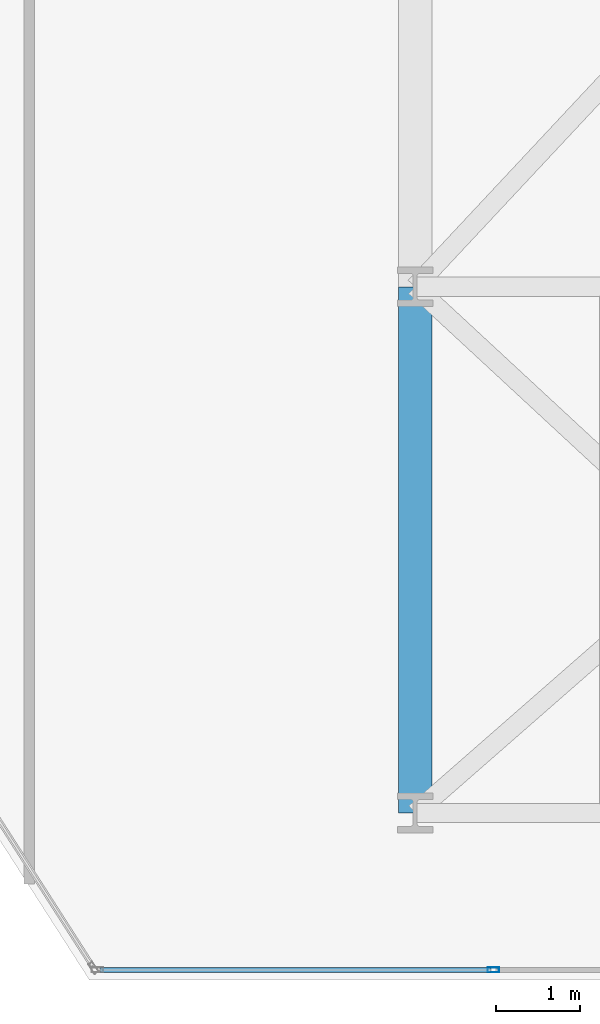
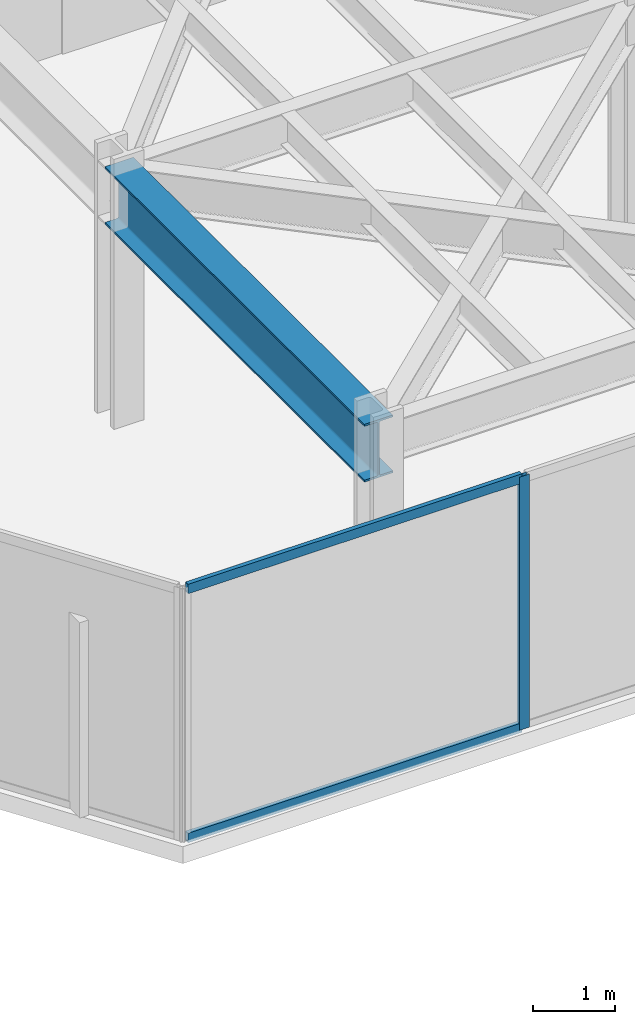
# One storey, part 16 of 26: 3 members, 1 beam, 1 element without a shape of its own.
"""IFC4 building model written with IfcOpenShell, lengths in metres."""

from ifc_helpers import new_model, si_unit, direction, frame, origin, origin_2d, place, context, subcontext, project, spatial, hollow_rectangle, i_section, extrude, material, layer, layer_set, material_profile, profile_set, type_object, element, aggregate, save


model = new_model("IFC4")

# Units and contexts
model_context = context("Model", 3, precision=1e-05, world=origin(), true_north=direction((0.0, 1.0)))
body_context = subcontext(model_context, "Body", "Model", "MODEL_VIEW")
ifc_project = project(units=[si_unit("LENGTHUNIT", "METRE"), si_unit("AREAUNIT", "SQUARE_METRE"), si_unit("VOLUMEUNIT", "CUBIC_METRE"), si_unit("PLANEANGLEUNIT", "RADIAN"), si_unit("MASSUNIT", "GRAM", prefix="KILO")], contexts=[model_context])

# Site, building, storey
site_placement = place(None, origin())
site = spatial("IfcSite", under=ifc_project, at=site_placement, CompositionType="ELEMENT")
building_placement = place(site_placement, origin())
building = spatial("IfcBuilding", under=site, at=building_placement, Name="Kravanh Interchange Tower", CompositionType="ELEMENT")
storey_placement = place(building_placement, frame((0.0, 0.0, 124.0)))
storey = spatial("IfcBuildingStorey", under=building, at=storey_placement, Name="L29", CompositionType="ELEMENT", Elevation=124.0)

# Curtain wall, members
ifc_material_1 = material(Name="Anodised Bronze Aluminium", Category="aluminium")
ifc_layer = layer(ifc_material_1, 0.179931640625)
ifc_layer_set = layer_set([ifc_layer], Name="Unitised Curtain Wall System CW-Z2 Mid Office")
curtain_wall_type = type_object("IfcCurtainWallType", Name="Unitised Curtain Wall System CW-Z2 Mid Office", PredefinedType="NOTDEFINED", material=ifc_layer_set)
curtain_wall_placement = place(storey_placement, origin())
curtain_wall = element("IfcCurtainWall", 1, at=curtain_wall_placement, inside=storey, type_object=curtain_wall_type, Name="L29 Unitised Curtain Wall CW-L29-03", PredefinedType="NOTDEFINED")
ifc_material_2 = material(Name="Anodised Bronze Aluminium", Category="aluminium")
ifc_material_profile_1 = material_profile(ifc_material_2, hollow_rectangle(XDim=0.06005859375, YDim=0.139892578125, WallThickness=0.00390625, at=origin_2d()), Name="ALU60X140X4")
ifc_profile_set_1 = profile_set([ifc_material_profile_1], Name="Anodised Bronze Aluminium")
member_type_1 = type_object("IfcMemberType", Name="Curtain Wall Mullion ALU60X140X4 Bronze", PredefinedType="MULLION", material=ifc_profile_set_1)
member_1_placement = place(storey_placement, frame((56.93798828125, 6.320068359375, 0.0), z_axis=(0.0, 0.0, 1.0), x_axis=(0.0, -1.0, 0.0)))
member_1 = element("IfcMember", 2, at=member_1_placement, type_object=member_type_1, Name="CW-Z2 mullion 2", PredefinedType="MULLION", context=body_context, shape_type="SweptSolid", body=[
    extrude(hollow_rectangle(XDim=0.06005859375, YDim=0.139892578125, WallThickness=0.00390625, at=origin_2d()), origin(), (0.0, 0.0, 1.0), 3.75),
])
ifc_material_3 = material(Name="Anodised Bronze Aluminium", Category="aluminium")
ifc_material_profile_2 = material_profile(ifc_material_3, hollow_rectangle(XDim=0.06005859375, YDim=0.139892578125, WallThickness=0.00390625, at=origin_2d()), Name="ALU60X140X4")
ifc_profile_set_2 = profile_set([ifc_material_profile_2], Name="Anodised Bronze Aluminium")
member_type_2 = type_object("IfcMemberType", Name="Curtain Wall Transom ALU60X140X4 Bronze", PredefinedType="USERDEFINED", material=ifc_profile_set_2)
member_2_placement = place(storey_placement, frame((56.907958984375, 6.320068359375, 0.030029296875), z_axis=(-1.0, 0.0, 0.0), x_axis=(0.0, -1.0, 0.0)))
member_2 = element("IfcMember", 3, at=member_2_placement, type_object=member_type_2, Name="CW-Z2 transom 2.1", ObjectType="TRANSOM", PredefinedType="USERDEFINED", context=body_context, shape_type="SweptSolid", body=[
    extrude(hollow_rectangle(XDim=0.06005859375, YDim=0.139892578125, WallThickness=0.00390625, at=origin_2d()), origin(), (0.0, 0.0, 1.0), 4.682373046875),
])
member_3_placement = place(storey_placement, frame((56.907958984375, 6.320068359375, 3.719970703125), z_axis=(-1.0, 0.0, 0.0), x_axis=(0.0, -1.0, 0.0)))
member_3 = element("IfcMember", 4, at=member_3_placement, type_object=member_type_2, Name="CW-Z2 transom 2.2", ObjectType="TRANSOM", PredefinedType="USERDEFINED", context=body_context, shape_type="SweptSolid", body=[
    extrude(hollow_rectangle(XDim=0.06005859375, YDim=0.139892578125, WallThickness=0.00390625, at=origin_2d()), origin(), (0.0, 0.0, 1.0), 4.682373046875),
])
aggregate(curtain_wall, [member_1, member_2, member_3])

# Beam
ifc_material_4 = material(Name="Structural Steel S355", Category="steel")
ifc_material_profile_3 = material_profile(ifc_material_4, i_section(OverallWidth=0.39990234375, OverallDepth=0.85595703125, WebThickness=0.018310546875, FlangeThickness=0.029296875, FilletRadius=0.02490234375, at=origin_2d()), Name="W33X201")
ifc_profile_set_3 = profile_set([ifc_material_profile_3], Name="Structural Steel S355")
beam_type = type_object("IfcBeamType", Name="Floor Beam W33X201 Structural Steel S355", PredefinedType="BEAM", material=ifc_profile_set_3)
beam_placement = place(storey_placement, frame((56.0, 8.199951171875, 3.322021484375), z_axis=(0.0, 1.0, 0.0), x_axis=(-1.0, 0.0, 0.0)))
element("IfcBeam", 5, at=beam_placement, inside=storey, type_object=beam_type, Name="L29 Primary Floor Girder 95", PredefinedType="BEAM", context=body_context, shape_type="SweptSolid", body=[
    extrude(i_section(OverallWidth=0.39990234375, OverallDepth=0.85595703125, WebThickness=0.018310546875, FlangeThickness=0.029296875, FilletRadius=0.02490234375, at=origin_2d()), origin(), (0.0, 0.0, 1.0), 6.300048828125),
])

save(model, "model.ifc")
